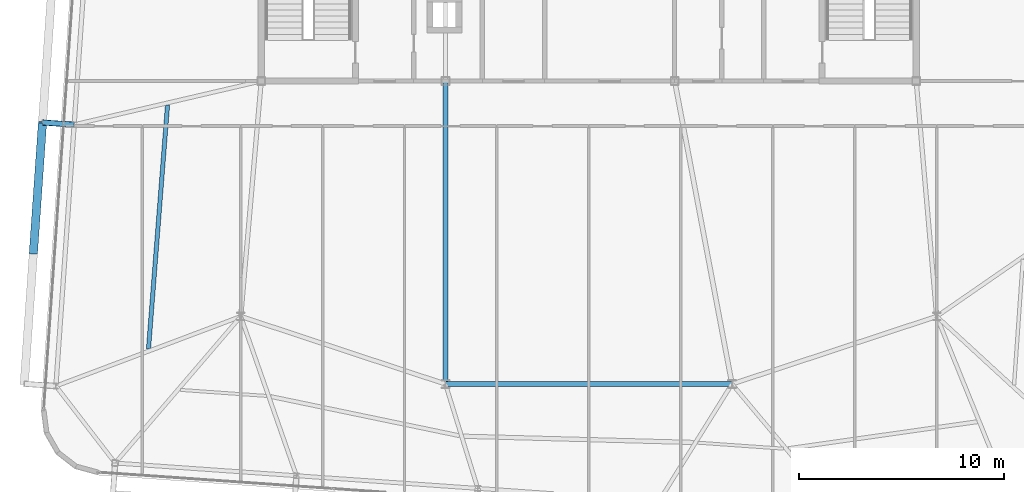
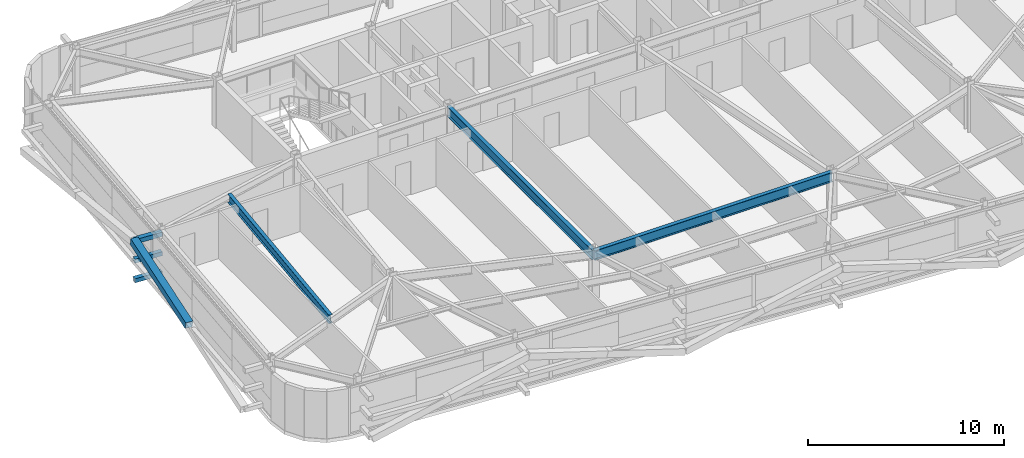
# One storey, part 10 of 39: 4 members, 3 beams.
"""IFC4 building model written with IfcOpenShell, lengths in metres."""

from ifc_helpers import new_model, si_unit, direction, frame, origin, origin_2d, place, context, subcontext, project, spatial, hollow_rectangle, i_section, extrude, source, transform, mapped, material, material_profile, profile_set, type_object, element, save


model = new_model("IFC4")

# Units and contexts
model_context = context("Model", 3, precision=1e-05, world=origin(), true_north=direction((0.0, 1.0)))
body_context = subcontext(model_context, "Body", "Model", "MODEL_VIEW")
ifc_project = project(units=[si_unit("LENGTHUNIT", "METRE"), si_unit("AREAUNIT", "SQUARE_METRE"), si_unit("VOLUMEUNIT", "CUBIC_METRE"), si_unit("PLANEANGLEUNIT", "RADIAN"), si_unit("MASSUNIT", "GRAM", prefix="KILO")], contexts=[model_context])

# Site, building, storey
site_placement = place(None, origin())
site = spatial("IfcSite", under=ifc_project, at=site_placement, CompositionType="ELEMENT")
building_placement = place(site_placement, origin())
building = spatial("IfcBuilding", under=site, at=building_placement, Name="Taldren Reach Tower", CompositionType="ELEMENT")
storey_placement = place(building_placement, frame((0.0, 0.0, 158.199951171875)))
storey = spatial("IfcBuildingStorey", under=building, at=storey_placement, Name="L48", CompositionType="ELEMENT", Elevation=158.199951171875)

# Beams
ifc_material_1 = material(Name="Steel Gr 350 (350PLUS)", Category="steel")
ifc_material_profile_1 = material_profile(ifc_material_1, i_section(OverallWidth=0.22802734375, OverallDepth=0.60205078125, WebThickness=0.010498046875, FlangeThickness=0.014892578125, at=origin_2d()), Name="610UB101")
ifc_profile_set_1 = profile_set([ifc_material_profile_1], Name="Steel Gr 350 (350PLUS)")
beam_type_1 = type_object("IfcBeamType", Name="BM-UB610B", PredefinedType="BEAM", material=ifc_profile_set_1)
shared_shape_1 = source(origin(), body_context, "Body", "SweptSolid", [
    extrude(i_section(OverallWidth=0.22802734375, OverallDepth=0.60205078125, WebThickness=0.010498046875, FlangeThickness=0.014892578125, at=origin_2d()), origin(), (0.0, 0.0, 1.0), 14.0),
])
beam_1_placement = place(storey_placement, frame((28.0, 9.199951171875, 2.629150390625), z_axis=(1.0, 0.0, 0.0), x_axis=(0.0, 1.0, 0.0)))
element("IfcBeam", 1, at=beam_1_placement, inside=storey, type_object=beam_type_1, Name="Core-spine girder L48-SP11", PredefinedType="BEAM", context=body_context, shape_type="MappedRepresentation", body=[
    mapped(shared_shape_1, transform((0.0, 0.0, 0.0), scale=1.0)),
])
shared_shape_2 = source(origin(), body_context, "Body", "SweptSolid", [
    extrude(i_section(OverallWidth=0.22802734375, OverallDepth=0.60205078125, WebThickness=0.010498046875, FlangeThickness=0.014892578125, at=origin_2d()), origin(), (0.0, 0.0, 1.0), 14.800048828125),
])
beam_2_placement = place(storey_placement, frame((28.0, 24.0, 2.629150390625), z_axis=(0.0, -1.0, 0.0), x_axis=(1.0, 0.0, 0.0)))
element("IfcBeam", 2, at=beam_2_placement, inside=storey, type_object=beam_type_1, Name="Core-spine girder L48-SP14", PredefinedType="BEAM", context=body_context, shape_type="MappedRepresentation", body=[
    mapped(shared_shape_2, transform((0.0, 0.0, 0.0), scale=1.0)),
])

# Members
ifc_material_2 = material(Name="Steel Gr 450 (C450L0)", Category="steel")
ifc_material_profile_2 = material_profile(ifc_material_2, hollow_rectangle(XDim=0.27490234375, YDim=0.27490234375, WallThickness=0.00927734375, at=origin_2d()), Name="275x275x9.3SHS")
ifc_profile_set_2 = profile_set([ifc_material_profile_2], Name="Steel Gr 450 (C450L0)")
member_type_1 = type_object("IfcMemberType", Name="MB-TIE273", PredefinedType="STRUT", material=ifc_profile_set_2)
shared_shape_3 = source(origin(), body_context, "Body", "SweptSolid", [
    extrude(hollow_rectangle(XDim=0.27490234375, YDim=0.27490234375, WallThickness=0.00927734375, at=origin_2d()), origin(), (0.0, 0.0, 1.0), 1.550048828125),
])
member_1_placement = place(storey_placement, frame((9.86181640625, 21.868408203125, 2.650146484375), z_axis=(-0.99756313426, 0.06976957191, 0.0), x_axis=(-0.06976957191, -0.99756313426, 0.0)))
element("IfcMember", 3, at=member_1_placement, inside=storey, type_object=member_type_1, Name="Exoskeleton diaphragm tie strut B3-W2 L48", PredefinedType="STRUT", context=body_context, shape_type="MappedRepresentation", body=[
    mapped(shared_shape_3, transform((0.0, 0.0, 0.0), scale=1.0)),
])
ifc_material_3 = material(Name="Steel Gr 350 (C350L0)", Category="steel")
ifc_material_profile_3 = material_profile(ifc_material_3, hollow_rectangle(XDim=0.25, YDim=0.25, WallThickness=0.010009765625, at=origin_2d()), Name="250x250x10.0SHS")
ifc_profile_set_3 = profile_set([ifc_material_profile_3], Name="Steel Gr 350 (C350L0)")
member_type_2 = type_object("IfcMemberType", Name="MB-POST250", PredefinedType="POST", material=ifc_profile_set_3)
shared_shape_4 = source(origin(), body_context, "Body", "SweptSolid", [
    extrude(hollow_rectangle(XDim=0.25, YDim=0.25, WallThickness=0.010009765625, at=origin_2d()), origin(), (0.0, 0.0, 1.0), 1.550048828125),
])
for number, where, z_axis, x_axis, name in (
    (4, (9.86181640625, 21.868408203125, 0.219970703125), (-0.99756313426, 0.06976957191, 0.0), (-0.06976957191, -0.99756313426, 0.0), "Exoskeleton base diaphragm tie strut B3-W2 L48"),
    (5, (9.86181640625, 21.868408203125, 1.43505859375), (-0.99756313426, 0.06976957191, 0.0), (-0.06976957191, -0.99756313426, 0.0), "Exoskeleton mid-tier diaphragm tie B3-W2 L48"),
):
    element("IfcMember", number, at=place(storey_placement, frame(where, z_axis=z_axis, x_axis=x_axis)), inside=storey, type_object=member_type_2, Name=name, PredefinedType="POST", context=body_context, shape_type="MappedRepresentation", body=[
        mapped(shared_shape_4, transform((0.0, 0.0, 0.0), scale=1.0)),
    ])

# Beam
ifc_material_profile_4 = material_profile(ifc_material_1, i_section(OverallWidth=0.208984375, OverallDepth=0.532958984375, WebThickness=0.01025390625, FlangeThickness=0.015625, at=origin_2d()), Name="530UB92.4")
ifc_profile_set_4 = profile_set([ifc_material_profile_4], Name="Steel Gr 350 (350PLUS)")
beam_type_2 = type_object("IfcBeamType", Name="BM-UB530A", PredefinedType="BEAM", material=ifc_profile_set_4)
shared_shape_5 = source(origin(), body_context, "Body", "SweptSolid", [
    extrude(i_section(OverallWidth=0.208984375, OverallDepth=0.532958984375, WebThickness=0.01025390625, FlangeThickness=0.015625, at=origin_2d()), origin(), (0.0, 0.0, 1.0), 11.965576171875),
])
beam_3_placement = place(storey_placement, frame((13.49267578125, 10.90478515625, 2.66357421875), z_axis=(0.077757433297, 0.996972307322, 0.0), x_axis=(-0.996972307322, 0.077757433297, 0.0)))
element("IfcBeam", 6, at=beam_3_placement, inside=storey, type_object=beam_type_2, Name="Secondary floor beam B3 J6 L48", PredefinedType="BEAM", context=body_context, shape_type="MappedRepresentation", body=[
    mapped(shared_shape_5, transform((0.0, 0.0, 0.0), scale=1.0)),
])

# Member
ifc_material_profile_5 = material_profile(ifc_material_2, hollow_rectangle(XDim=0.409912109375, YDim=0.409912109375, WallThickness=0.01611328125, at=origin_2d()), Name="410x410x16.0SHS")
ifc_profile_set_5 = profile_set([ifc_material_profile_5], Name="Steel Gr 450 (C450L0)")
member_type_3 = type_object("IfcMemberType", Name="MB-EXO406", PredefinedType="BRACE", material=ifc_profile_set_5)
shared_shape_6 = source(origin(), body_context, "Body", "SweptSolid", [
    extrude(hollow_rectangle(XDim=0.409912109375, YDim=0.409912109375, WallThickness=0.01611328125, at=origin_2d()), origin(), (0.0, 0.0, 1.0), 6.514404296875),
])
member_2_placement = place(storey_placement, frame((7.869140625, 15.592041015625, 1.43505859375), z_axis=(0.068507825937, 0.980059166346, 0.186522674885), x_axis=(-0.997565791441, 0.069731569223, 0.0)))
element("IfcMember", 7, at=member_2_placement, inside=storey, type_object=member_type_3, Name="Exoskeleton Diagrid Brace B3-W1 L48", PredefinedType="BRACE", context=body_context, shape_type="MappedRepresentation", body=[
    mapped(shared_shape_6, transform((0.0, 0.0, 0.0), scale=1.0)),
])

save(model, "model.ifc")
